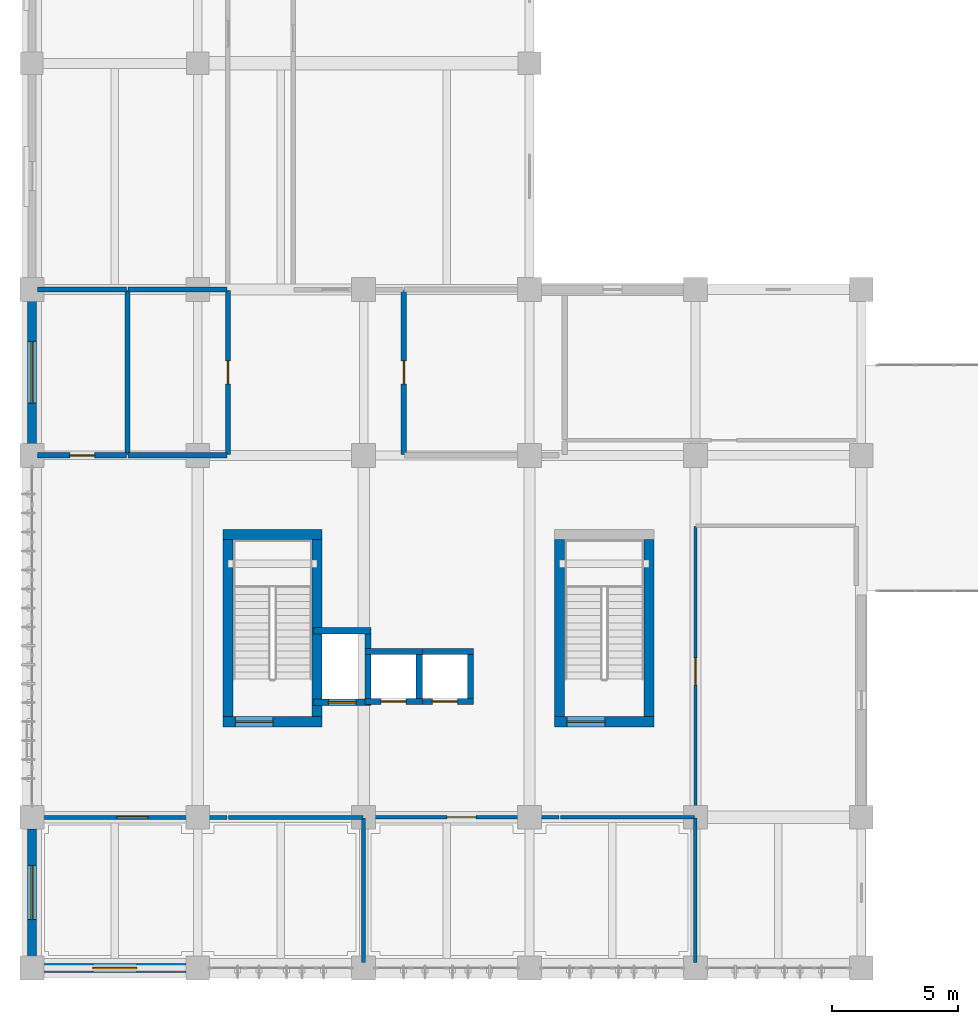
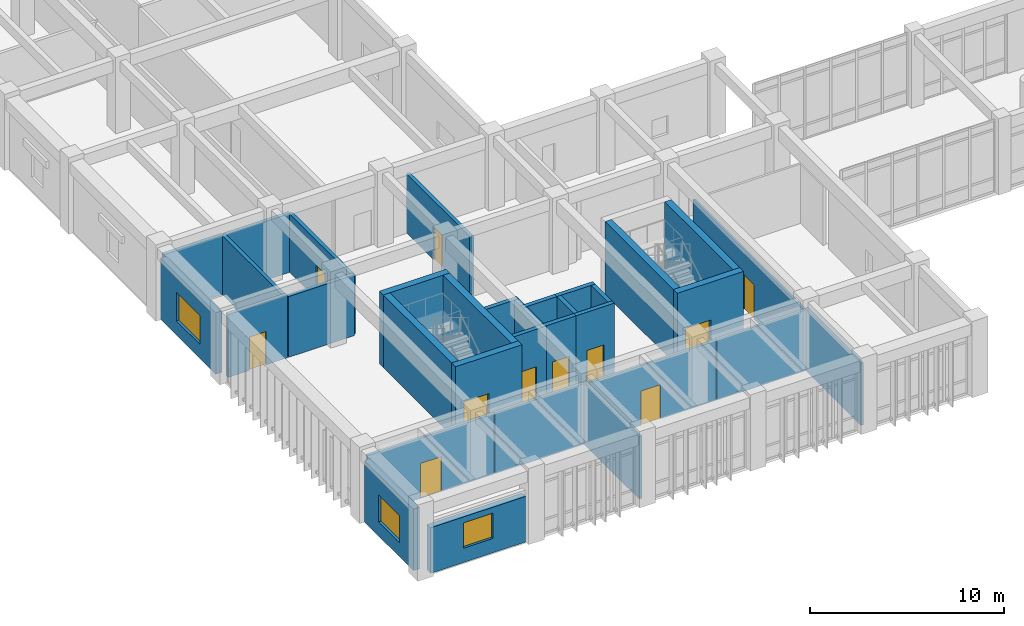
# One storey, part 48 of 68: 33 walls, 11 doors, 3 windows, 14 openings.
"""IFC4 building model written with IfcOpenShell, lengths in metres."""

from ifc_helpers import new_model, si_unit, direction, frame, frame_2d, origin, place, context, subcontext, project, spatial, rectangle, extrude, material, layer, layer_set, type_object, element, fill, save


model = new_model("IFC4")

# Units and contexts
model_context = context("Model", 3, precision=1e-05, world=origin(), true_north=direction((0.0, 1.0)))
body_context = subcontext(model_context, "Body", "Model", "MODEL_VIEW")
ifc_project = project(units=[si_unit("LENGTHUNIT", "METRE"), si_unit("AREAUNIT", "SQUARE_METRE"), si_unit("VOLUMEUNIT", "CUBIC_METRE"), si_unit("PLANEANGLEUNIT", "RADIAN"), si_unit("MASSUNIT", "GRAM", prefix="KILO")], contexts=[model_context])

# Site, building, storey
site_placement = place(None, origin())
site = spatial("IfcSite", under=ifc_project, at=site_placement, CompositionType="ELEMENT")
building_placement = place(site_placement, origin())
building = spatial("IfcBuilding", under=site, at=building_placement, Name="Miralva Faculty of Natural Sciences", CompositionType="ELEMENT")
storey_placement = place(building_placement, frame((0.0, 0.0, 5.39990234375)))
storey = spatial("IfcBuildingStorey", under=building, at=storey_placement, Name="L01", CompositionType="ELEMENT", Elevation=5.39990234375)

# Wall, opening, door
ifc_material_1 = material(Name="Concrete C50/60", Category="concrete")
ifc_layer_1 = layer(ifc_material_1, 0.39990234375, Name="WL-CW01")
ifc_layer_set_1 = layer_set([ifc_layer_1], Name="Concrete C50/60")
wall_type_1 = type_object("IfcWallType", Name="WL-CW01", PredefinedType="SHEAR", material=ifc_layer_set_1)
wall_1_placement = place(storey_placement, frame((10.60009765625, 12.800048828125, 0.0), z_axis=(0.0, 0.0, 1.0), x_axis=(1.0, 0.0, 0.0)))
wall_1 = element("IfcWall", 1, at=wall_1_placement, inside=storey, type_object=wall_type_1, Name="Core C1 shear wall south L01", PredefinedType="SHEAR", context=body_context, shape_type="SweptSolid", body=[
    extrude(rectangle(XDim=3.949951171875, YDim=0.39990234375, at=frame_2d((1.97509765625, 0.0))), origin(), (0.0, 0.0, 1.0), 4.580078125),
])
opening_1_placement = place(wall_1_placement, frame((0.5, 0.0, 0.0)))
opening_1 = element("IfcOpeningElement", 2, at=opening_1_placement, cuts=wall_1, Name="Opening D-11", PredefinedType="OPENING", context=body_context, shape_type="SweptSolid", body=[
    extrude(rectangle(XDim=1.5, YDim=2.199951171875, at=frame_2d((0.75, 1.10009765625))), frame((0.0, 0.2099609375, 0.0), z_axis=(0.0, -1.0, 0.0), x_axis=(1.0, 0.0, 0.0)), (0.0, 0.0, 1.0), 0.419921875),
])
ifc_material_2 = material(Name="Galvanised steel", Category="steel")
door_type_1 = type_object("IfcDoorType", Name="DR-DI11", OperationType="DOUBLE_DOOR_SINGLE_SWING", PredefinedType="DOOR", material=ifc_material_2)
door_1_placement = place(opening_1_placement, frame((1.5, 0.0, 0.0), z_axis=(0.0, 0.0, 1.0), x_axis=(-1.0, 0.0, 0.0)))
door_1 = element("IfcDoor", 3, at=door_1_placement, inside=storey, type_object=door_type_1, Name="Protected exit stair door Core C1 L01", OperationType="DOUBLE_DOOR_SINGLE_SWING", OverallHeight=2.199951171875, OverallWidth=1.5, PredefinedType="DOOR", context=body_context, shape_type="SweptSolid", body=[
    extrude(rectangle(XDim=1.5, YDim=2.199951171875, at=frame_2d((0.75, 1.10009765625))), frame((0.0, 0.02490234375, 0.0), z_axis=(0.0, -1.0, 0.0), x_axis=(1.0, 0.0, 0.0)), (0.0, 0.0, 1.0), 0.050048828125),
])
fill(opening_1, door_1)

# Walls
wall_2_placement = place(storey_placement, frame((10.60009765625, 20.25, 0.0), z_axis=(0.0, 0.0, 1.0), x_axis=(1.0, 0.0, 0.0)))
element("IfcWall", 4, at=wall_2_placement, inside=storey, type_object=wall_type_1, Name="Core C1 shear wall north L01", PredefinedType="SHEAR", context=body_context, shape_type="SweptSolid", body=[
    extrude(rectangle(XDim=3.949951171875, YDim=0.39990234375, at=frame_2d((1.97509765625, 0.0))), origin(), (0.0, 0.0, 1.0), 4.580078125),
])
for number, where, z_axis, x_axis, name in (
    (5, (10.800048828125, 13.0, 0.0), (0.0, 0.0, 1.0), (0.0, 1.0, 0.0), "Core C1 shear wall west L01"),
    (6, (14.35009765625, 13.0, 0.0), (0.0, 0.0, 1.0), (0.0, 1.0, 0.0), "Core C1 shear wall east L01"),
):
    element("IfcWall", number, at=place(storey_placement, frame(where, z_axis=z_axis, x_axis=x_axis)), inside=storey, type_object=wall_type_1, Name=name, PredefinedType="SHEAR", context=body_context, shape_type="SweptSolid", body=[
        extrude(rectangle(XDim=7.050048828125, YDim=0.39990234375, at=frame_2d((3.52490234375, 0.0))), origin(), (0.0, 0.0, 1.0), 4.580078125),
    ])

# Wall, opening, door
wall_3_placement = place(storey_placement, frame((23.800048828125, 12.800048828125, 0.0), z_axis=(0.0, 0.0, 1.0), x_axis=(1.0, 0.0, 0.0)))
wall_3 = element("IfcWall", 7, at=wall_3_placement, inside=storey, type_object=wall_type_1, Name="Core C1B shear wall south L01", PredefinedType="SHEAR", context=body_context, shape_type="SweptSolid", body=[
    extrude(rectangle(XDim=3.949951171875, YDim=0.39990234375, at=frame_2d((1.97509765625, 0.0))), origin(), (0.0, 0.0, 1.0), 4.580078125),
])
opening_2_placement = place(wall_3_placement, frame((0.5, 0.0, 0.0)))
opening_2 = element("IfcOpeningElement", 8, at=opening_2_placement, cuts=wall_3, Name="Opening D-11", PredefinedType="OPENING", context=body_context, shape_type="SweptSolid", body=[
    extrude(rectangle(XDim=1.5, YDim=2.199951171875, at=frame_2d((0.75, 1.10009765625))), frame((0.0, 0.2099609375, 0.0), z_axis=(0.0, -1.0, 0.0), x_axis=(1.0, 0.0, 0.0)), (0.0, 0.0, 1.0), 0.419921875),
])
door_2_placement = place(opening_2_placement, frame((1.5, 0.0, 0.0), z_axis=(0.0, 0.0, 1.0), x_axis=(-1.0, 0.0, 0.0)))
door_2 = element("IfcDoor", 9, at=door_2_placement, inside=storey, type_object=door_type_1, Name="Protected exit stair door Core C1B L01", OperationType="DOUBLE_DOOR_SINGLE_SWING", OverallHeight=2.199951171875, OverallWidth=1.5, PredefinedType="DOOR", context=body_context, shape_type="SweptSolid", body=[
    extrude(rectangle(XDim=1.5, YDim=2.199951171875, at=frame_2d((0.75, 1.10009765625))), frame((0.0, 0.02490234375, 0.0), z_axis=(0.0, -1.0, 0.0), x_axis=(1.0, 0.0, 0.0)), (0.0, 0.0, 1.0), 0.050048828125),
])
fill(opening_2, door_2)

# Walls
for number, where, z_axis, x_axis, name in (
    (10, (24.0, 13.0, 0.0), (0.0, 0.0, 1.0), (0.0, 1.0, 0.0), "Core C1B shear wall west L01"),
    (11, (27.550048828125, 13.0, 0.0), (0.0, 0.0, 1.0), (0.0, 1.0, 0.0), "Core C1B shear wall east L01"),
):
    element("IfcWall", number, at=place(storey_placement, frame(where, z_axis=z_axis, x_axis=x_axis)), inside=storey, type_object=wall_type_1, Name=name, PredefinedType="SHEAR", context=body_context, shape_type="SweptSolid", body=[
        extrude(rectangle(XDim=7.050048828125, YDim=0.39990234375, at=frame_2d((3.52490234375, 0.0))), origin(), (0.0, 0.0, 1.0), 4.580078125),
    ])

# Wall, opening, door
ifc_material_3 = material(Name="Concrete C40/50", Category="concrete")
ifc_layer_2 = layer(ifc_material_3, 0.25, Name="WL-CW04")
ifc_layer_set_2 = layer_set([ifc_layer_2], Name="Concrete C40/50")
wall_type_2 = type_object("IfcWallType", Name="WL-CW04", PredefinedType="SHEAR", material=ifc_layer_set_2)
wall_4_placement = place(storey_placement, frame((14.205078125, 13.580078125, 0.0), z_axis=(0.0, 0.0, 1.0), x_axis=(1.0, 0.0, 0.0)))
wall_4 = element("IfcWall", 12, at=wall_4_placement, inside=storey, type_object=wall_type_2, Name="Lift L-01 hoistway front wall L01", PredefinedType="SHEAR", context=body_context, shape_type="SweptSolid", body=[
    extrude(rectangle(XDim=2.2900390625, YDim=0.25, at=frame_2d((1.14501953125, 0.0))), origin(), (0.0, 0.0, 1.0), 4.56005859375),
])
opening_3_placement = place(wall_4_placement, frame((0.594970703125, 0.0, 0.0)))
opening_3 = element("IfcOpeningElement", 13, at=opening_3_placement, cuts=wall_4, Name="Opening LD-01", PredefinedType="OPENING", context=body_context, shape_type="SweptSolid", body=[
    extrude(rectangle(XDim=1.10009765625, YDim=2.199951171875, at=frame_2d((0.550048828125, 1.10009765625))), frame((0.0, 0.135009765625, 0.0), z_axis=(0.0, -1.0, 0.0), x_axis=(1.0, 0.0, 0.0)), (0.0, 0.0, 1.0), 0.27001953125),
])
door_type_2 = type_object("IfcDoorType", Name="DR-LD01", OperationType="SLIDING_TO_LEFT", PredefinedType="DOOR", material=ifc_material_2)
door_3_placement = place(opening_3_placement, frame((1.10009765625, 0.0, 0.0), z_axis=(0.0, 0.0, 1.0), x_axis=(-1.0, 0.0, 0.0)))
door_3 = element("IfcDoor", 14, at=door_3_placement, inside=storey, type_object=door_type_2, Name="Lift L-01 sliding landing door L01", OperationType="SLIDING_TO_LEFT", OverallHeight=2.199951171875, OverallWidth=1.10009765625, PredefinedType="DOOR", context=body_context, shape_type="SweptSolid", body=[
    extrude(rectangle(XDim=1.10009765625, YDim=2.199951171875, at=frame_2d((0.550048828125, 1.10009765625))), frame((0.0, 0.02490234375, 0.0), z_axis=(0.0, -1.0, 0.0), x_axis=(1.0, 0.0, 0.0)), (0.0, 0.0, 1.0), 0.050048828125),
])
fill(opening_3, door_3)

# Walls
wall_5_placement = place(storey_placement, frame((14.205078125, 16.419921875, 0.0), z_axis=(0.0, 0.0, 1.0), x_axis=(1.0, 0.0, 0.0)))
element("IfcWall", 15, at=wall_5_placement, inside=storey, type_object=wall_type_2, Name="Lift L-01 hoistway rear wall L01", PredefinedType="SHEAR", context=body_context, shape_type="SweptSolid", body=[
    extrude(rectangle(XDim=2.2900390625, YDim=0.25, at=frame_2d((1.14501953125, 0.0))), origin(), (0.0, 0.0, 1.0), 4.56005859375),
])
wall_6_placement = place(storey_placement, frame((16.3701171875, 13.705078125, 0.0), z_axis=(0.0, 0.0, 1.0), x_axis=(0.0, 1.0, 0.0)))
element("IfcWall", 16, at=wall_6_placement, inside=storey, type_object=wall_type_2, Name="Lift L-01 hoistway E wall L01", PredefinedType="SHEAR", context=body_context, shape_type="SweptSolid", body=[
    extrude(rectangle(XDim=2.58984375, YDim=0.25, at=frame_2d((1.294921875, 0.0))), origin(), (0.0, 0.0, 1.0), 4.56005859375),
])

# Wall, opening, door
wall_7_placement = place(storey_placement, frame((16.2451171875, 13.60498046875, 0.0), z_axis=(0.0, 0.0, 1.0), x_axis=(1.0, 0.0, 0.0)))
wall_7 = element("IfcWall", 17, at=wall_7_placement, inside=storey, type_object=wall_type_2, Name="Lift L-02 hoistway front wall L01", PredefinedType="SHEAR", context=body_context, shape_type="SweptSolid", body=[
    extrude(rectangle(XDim=2.289794921875, YDim=0.25, at=frame_2d((1.14501953125, 0.0))), origin(), (0.0, 0.0, 1.0), 4.56005859375),
])
opening_4_placement = place(wall_7_placement, frame((0.64501953125, 0.0, 0.0)))
opening_4 = element("IfcOpeningElement", 18, at=opening_4_placement, cuts=wall_7, Name="Opening LD-02", PredefinedType="OPENING", context=body_context, shape_type="SweptSolid", body=[
    extrude(rectangle(XDim=1.0, YDim=2.14990234375, at=frame_2d((0.5, 1.074951171875))), frame((0.0, 0.135009765625, 0.0), z_axis=(0.0, -1.0, 0.0), x_axis=(1.0, 0.0, 0.0)), (0.0, 0.0, 1.0), 0.27001953125),
])
door_type_3 = type_object("IfcDoorType", Name="DR-LD02", OperationType="SLIDING_TO_LEFT", PredefinedType="DOOR", material=ifc_material_2)
door_4_placement = place(opening_4_placement, frame((1.0, 0.0, 0.0), z_axis=(0.0, 0.0, 1.0), x_axis=(-1.0, 0.0, 0.0)))
door_4 = element("IfcDoor", 19, at=door_4_placement, inside=storey, type_object=door_type_3, Name="Lift L-02 sliding landing door L01", OperationType="SLIDING_TO_LEFT", OverallHeight=2.14990234375, OverallWidth=1.0, PredefinedType="DOOR", context=body_context, shape_type="SweptSolid", body=[
    extrude(rectangle(XDim=1.0, YDim=2.14990234375, at=frame_2d((0.5, 1.074951171875))), frame((0.0, 0.02490234375, 0.0), z_axis=(0.0, -1.0, 0.0), x_axis=(1.0, 0.0, 0.0)), (0.0, 0.0, 1.0), 0.050048828125),
])
fill(opening_4, door_4)

# Walls
wall_8_placement = place(storey_placement, frame((16.2451171875, 15.594970703125, 0.0), z_axis=(0.0, 0.0, 1.0), x_axis=(1.0, 0.0, 0.0)))
element("IfcWall", 20, at=wall_8_placement, inside=storey, type_object=wall_type_2, Name="Lift L-02 hoistway rear wall L01", PredefinedType="SHEAR", context=body_context, shape_type="SweptSolid", body=[
    extrude(rectangle(XDim=2.289794921875, YDim=0.25, at=frame_2d((1.14501953125, 0.0))), origin(), (0.0, 0.0, 1.0), 4.56005859375),
])
wall_9_placement = place(storey_placement, frame((18.409912109375, 13.72998046875, 0.0), z_axis=(0.0, 0.0, 1.0), x_axis=(0.0, 1.0, 0.0)))
element("IfcWall", 21, at=wall_9_placement, inside=storey, type_object=wall_type_2, Name="Lift L-02 hoistway E wall L01", PredefinedType="SHEAR", context=body_context, shape_type="SweptSolid", body=[
    extrude(rectangle(XDim=1.739990234375, YDim=0.25, at=frame_2d((0.8701171875, 0.0))), origin(), (0.0, 0.0, 1.0), 4.56005859375),
])

# Wall, opening, door
wall_10_placement = place(storey_placement, frame((18.284912109375, 13.60498046875, 0.0), z_axis=(0.0, 0.0, 1.0), x_axis=(1.0, 0.0, 0.0)))
wall_10 = element("IfcWall", 22, at=wall_10_placement, inside=storey, type_object=wall_type_2, Name="Lift L-03 hoistway front wall L01", PredefinedType="SHEAR", context=body_context, shape_type="SweptSolid", body=[
    extrude(rectangle(XDim=2.2900390625, YDim=0.25, at=frame_2d((1.14501953125, 0.0))), origin(), (0.0, 0.0, 1.0), 4.56005859375),
])
opening_5_placement = place(wall_10_placement, frame((0.64501953125, 0.0, 0.0)))
opening_5 = element("IfcOpeningElement", 23, at=opening_5_placement, cuts=wall_10, Name="Opening LD-02", PredefinedType="OPENING", context=body_context, shape_type="SweptSolid", body=[
    extrude(rectangle(XDim=1.0, YDim=2.14990234375, at=frame_2d((0.5, 1.074951171875))), frame((0.0, 0.135009765625, 0.0), z_axis=(0.0, -1.0, 0.0), x_axis=(1.0, 0.0, 0.0)), (0.0, 0.0, 1.0), 0.27001953125),
])
door_5_placement = place(opening_5_placement, frame((1.0, 0.0, 0.0), z_axis=(0.0, 0.0, 1.0), x_axis=(-1.0, 0.0, 0.0)))
door_5 = element("IfcDoor", 24, at=door_5_placement, inside=storey, type_object=door_type_3, Name="Lift L-03 sliding landing door L01", OperationType="SLIDING_TO_LEFT", OverallHeight=2.14990234375, OverallWidth=1.0, PredefinedType="DOOR", context=body_context, shape_type="SweptSolid", body=[
    extrude(rectangle(XDim=1.0, YDim=2.14990234375, at=frame_2d((0.5, 1.074951171875))), frame((0.0, 0.02490234375, 0.0), z_axis=(0.0, -1.0, 0.0), x_axis=(1.0, 0.0, 0.0)), (0.0, 0.0, 1.0), 0.050048828125),
])
fill(opening_5, door_5)

# Walls
wall_11_placement = place(storey_placement, frame((18.284912109375, 15.594970703125, 0.0), z_axis=(0.0, 0.0, 1.0), x_axis=(1.0, 0.0, 0.0)))
element("IfcWall", 25, at=wall_11_placement, inside=storey, type_object=wall_type_2, Name="Lift L-03 hoistway rear wall L01", PredefinedType="SHEAR", context=body_context, shape_type="SweptSolid", body=[
    extrude(rectangle(XDim=2.2900390625, YDim=0.25, at=frame_2d((1.14501953125, 0.0))), origin(), (0.0, 0.0, 1.0), 4.56005859375),
])
wall_12_placement = place(storey_placement, frame((20.449951171875, 13.72998046875, 0.0), z_axis=(0.0, 0.0, 1.0), x_axis=(0.0, 1.0, 0.0)))
element("IfcWall", 26, at=wall_12_placement, inside=storey, type_object=wall_type_2, Name="Lift L-03 hoistway E wall L01", PredefinedType="SHEAR", context=body_context, shape_type="SweptSolid", body=[
    extrude(rectangle(XDim=1.739990234375, YDim=0.25, at=frame_2d((0.8701171875, 0.0))), origin(), (0.0, 0.0, 1.0), 4.56005859375),
])
ifc_material_4 = material(Name="Gypsum plasterboard")
ifc_layer_3 = layer(ifc_material_4, 0.159912109375, Name="WL-PT03")
ifc_layer_set_3 = layer_set([ifc_layer_3], Name="Gypsum plasterboard")
wall_type_3 = type_object("IfcWallType", Name="WL-PT03", PredefinedType="PARTITIONING", material=ifc_layer_set_3)
wall_13_placement = place(storey_placement, frame((16.199951171875, 3.22998046875, 0.0), z_axis=(0.0, 0.0, 1.0), x_axis=(0.0, 1.0, 0.0)))
element("IfcWall", 27, at=wall_13_placement, inside=storey, type_object=wall_type_3, Name="Interior partition PT-03 L01-151", PredefinedType="PARTITIONING", context=body_context, shape_type="SweptSolid", body=[
    extrude(rectangle(XDim=5.739990234375, YDim=0.159912109375, at=frame_2d((2.8701171875, 0.0))), origin(), (0.0, 0.0, 1.0), 3.925048828125),
])

# Wall, opening, door
wall_14_placement = place(storey_placement, frame((3.22998046875, 9.0, 0.0), z_axis=(0.0, 0.0, 1.0), x_axis=(1.0, 0.0, 0.0)))
wall_14 = element("IfcWall", 28, at=wall_14_placement, inside=storey, type_object=wall_type_3, Name="Interior partition PT-03 L01-152", PredefinedType="PARTITIONING", context=body_context, shape_type="SweptSolid", body=[
    extrude(rectangle(XDim=7.5400390625, YDim=0.159912109375, at=frame_2d((3.77001953125, 0.0))), origin(), (0.0, 0.0, 1.0), 3.795166015625),
])
opening_6_placement = place(wall_14_placement, frame((3.14501953125, 0.0, 0.0)))
opening_6 = element("IfcOpeningElement", 29, at=opening_6_placement, cuts=wall_14, Name="Opening D-23", PredefinedType="OPENING", context=body_context, shape_type="SweptSolid", body=[
    extrude(rectangle(XDim=1.25, YDim=2.199951171875, at=frame_2d((0.625, 1.10009765625))), frame((0.0, 0.08984375, 0.0), z_axis=(0.0, -1.0, 0.0), x_axis=(1.0, 0.0, 0.0)), (0.0, 0.0, 1.0), 0.179931640625),
])
ifc_material_5 = material(Name="Anodised aluminium", Category="aluminium")
door_type_4 = type_object("IfcDoorType", Name="DR-DI23", OperationType="NOTDEFINED", PredefinedType="DOOR", material=ifc_material_5)
door_6_placement = place(opening_6_placement, origin())
door_6 = element("IfcDoor", 30, at=door_6_placement, inside=storey, type_object=door_type_4, Name="Interior door D-23 L01-58", OperationType="SINGLE_SWING_RIGHT", OverallHeight=2.199951171875, OverallWidth=1.25, PredefinedType="DOOR", context=body_context, shape_type="SweptSolid", body=[
    extrude(rectangle(XDim=1.25, YDim=2.199951171875, at=frame_2d((0.625, 1.10009765625))), frame((0.0, 0.02490234375, 0.0), z_axis=(0.0, -1.0, 0.0), x_axis=(1.0, 0.0, 0.0)), (0.0, 0.0, 1.0), 0.050048828125),
])
fill(opening_6, door_6)

# Walls
wall_15_placement = place(storey_placement, frame((10.830078125, 9.0, 0.0), z_axis=(0.0, 0.0, 1.0), x_axis=(1.0, 0.0, 0.0)))
element("IfcWall", 31, at=wall_15_placement, inside=storey, type_object=wall_type_3, Name="Interior partition PT-03 L01-153", PredefinedType="PARTITIONING", context=body_context, shape_type="SweptSolid", body=[
    extrude(rectangle(XDim=5.33984375, YDim=0.159912109375, at=frame_2d((2.669921875, 0.0))), origin(), (0.0, 0.0, 1.0), 3.8251953125),
])
ifc_layer_4 = layer(ifc_material_4, 0.139892578125, Name="WL-PT04")
ifc_layer_set_4 = layer_set([ifc_layer_4], Name="Gypsum plasterboard")
wall_type_4 = type_object("IfcWallType", Name="WL-PT04", PredefinedType="PARTITIONING", material=ifc_layer_set_4)
wall_16_placement = place(storey_placement, frame((29.39990234375, 3.22998046875, 0.0), z_axis=(0.0, 0.0, 1.0), x_axis=(0.0, 1.0, 0.0)))
element("IfcWall", 32, at=wall_16_placement, inside=storey, type_object=wall_type_4, Name="Interior partition PT-04 L01-154", PredefinedType="PARTITIONING", context=body_context, shape_type="SweptSolid", body=[
    extrude(rectangle(XDim=5.739990234375, YDim=0.139892578125, at=frame_2d((2.8701171875, 0.0))), origin(), (0.0, 0.0, 1.0), 3.925048828125),
])
wall_17_placement = place(storey_placement, frame((24.030029296875, 9.0, 0.0), z_axis=(0.0, 0.0, 1.0), x_axis=(1.0, 0.0, 0.0)))
element("IfcWall", 33, at=wall_17_placement, inside=storey, type_object=wall_type_4, Name="Interior partition PT-04 L01-155", PredefinedType="PARTITIONING", context=body_context, shape_type="SweptSolid", body=[
    extrude(rectangle(XDim=5.340087890625, YDim=0.139892578125, at=frame_2d((2.669921875, 0.0))), origin(), (0.0, 0.0, 1.0), 3.8251953125),
])

# Wall, opening, door
wall_18_placement = place(storey_placement, frame((16.22998046875, 9.0, 0.0), z_axis=(0.0, 0.0, 1.0), x_axis=(1.0, 0.0, 0.0)))
wall_18 = element("IfcWall", 34, at=wall_18_placement, inside=storey, type_object=wall_type_4, Name="Interior partition PT-04 L01-156", PredefinedType="PARTITIONING", context=body_context, shape_type="SweptSolid", body=[
    extrude(rectangle(XDim=7.739990234375, YDim=0.139892578125, at=frame_2d((3.8701171875, 0.0))), origin(), (0.0, 0.0, 1.0), 3.755126953125),
])
opening_7_placement = place(wall_18_placement, frame((3.294921875, 0.0, 0.0)))
opening_7 = element("IfcOpeningElement", 35, at=opening_7_placement, cuts=wall_18, Name="Opening D-24", PredefinedType="OPENING", context=body_context, shape_type="SweptSolid", body=[
    extrude(rectangle(XDim=1.14990234375, YDim=2.14990234375, at=frame_2d((0.574951171875, 1.074951171875))), frame((0.0, 0.079833984375, 0.0), z_axis=(0.0, -1.0, 0.0), x_axis=(1.0, 0.0, 0.0)), (0.0, 0.0, 1.0), 0.159912109375),
])
door_type_5 = type_object("IfcDoorType", Name="DR-DI24", OperationType="NOTDEFINED", PredefinedType="DOOR", material=ifc_material_5)
door_7_placement = place(opening_7_placement, origin())
door_7 = element("IfcDoor", 36, at=door_7_placement, inside=storey, type_object=door_type_5, Name="Interior door D-24 L01-59", OperationType="SINGLE_SWING_LEFT", OverallHeight=2.14990234375, OverallWidth=1.14990234375, PredefinedType="DOOR", context=body_context, shape_type="SweptSolid", body=[
    extrude(rectangle(XDim=1.14990234375, YDim=2.14990234375, at=frame_2d((0.574951171875, 1.074951171875))), frame((0.0, 0.02490234375, 0.0), z_axis=(0.0, -1.0, 0.0), x_axis=(1.0, 0.0, 0.0)), (0.0, 0.0, 1.0), 0.050048828125),
])
fill(opening_7, door_7)

ifc_layer_5 = layer(ifc_material_4, 0.125, Name="WL-PT05")
ifc_layer_set_5 = layer_set([ifc_layer_5], Name="Gypsum plasterboard")
wall_type_5 = type_object("IfcWallType", Name="WL-PT05", PredefinedType="PARTITIONING", material=ifc_layer_set_5)
wall_19_placement = place(storey_placement, frame((29.39990234375, 9.030029296875, 0.0), z_axis=(0.0, 0.0, 1.0), x_axis=(0.0, 1.0, 0.0)))
wall_19 = element("IfcWall", 37, at=wall_19_placement, inside=storey, type_object=wall_type_5, Name="Interior partition PT-05 L01-157", PredefinedType="PARTITIONING", context=body_context, shape_type="SweptSolid", body=[
    extrude(rectangle(XDim=11.5400390625, YDim=0.125, at=frame_2d((5.77001953125, 0.0))), origin(), (0.0, 0.0, 1.0), 3.72509765625),
])
opening_8_placement = place(wall_19_placement, frame((5.22998046875, 0.0, 0.0)))
opening_8 = element("IfcOpeningElement", 38, at=opening_8_placement, cuts=wall_19, Name="Opening D-32", PredefinedType="OPENING", context=body_context, shape_type="SweptSolid", body=[
    extrude(rectangle(XDim=1.080078125, YDim=2.14990234375, at=frame_2d((0.5400390625, 1.074951171875))), frame((0.0, 0.072509765625, 0.0), z_axis=(0.0, -1.0, 0.0), x_axis=(1.0, 0.0, 0.0)), (0.0, 0.0, 1.0), 0.14501953125),
])
door_type_6 = type_object("IfcDoorType", Name="DR-DI32", OperationType="NOTDEFINED", PredefinedType="DOOR", material=ifc_material_5)
door_8_placement = place(opening_8_placement, origin())
door_8 = element("IfcDoor", 39, at=door_8_placement, inside=storey, type_object=door_type_6, Name="Interior door D-32 L01-60", OperationType="SINGLE_SWING_RIGHT", OverallHeight=2.14990234375, OverallWidth=1.080078125, PredefinedType="DOOR", context=body_context, shape_type="SweptSolid", body=[
    extrude(rectangle(XDim=1.080078125, YDim=2.14990234375, at=frame_2d((0.5400390625, 1.074951171875))), frame((0.0, 0.02490234375, 0.0), z_axis=(0.0, -1.0, 0.0), x_axis=(1.0, 0.0, 0.0)), (0.0, 0.0, 1.0), 0.050048828125),
])
fill(opening_8, door_8)

# Wall
ifc_layer_6 = layer(ifc_material_4, 0.2099609375, Name="WL-PT06")
ifc_layer_set_6 = layer_set([ifc_layer_6], Name="Gypsum plasterboard")
wall_type_6 = type_object("IfcWallType", Name="WL-PT06", PredefinedType="PLUMBINGWALL", material=ifc_layer_set_6)
wall_20_placement = place(storey_placement, frame((6.800048828125, 23.429931640625, 0.0), z_axis=(0.0, 0.0, 1.0), x_axis=(0.0, 1.0, 0.0)))
element("IfcWall", 40, at=wall_20_placement, inside=storey, type_object=wall_type_6, Name="Interior partition PT-06 L01-160", PredefinedType="PLUMBINGWALL", context=body_context, shape_type="SweptSolid", body=[
    extrude(rectangle(XDim=6.5400390625, YDim=0.2099609375, at=frame_2d((3.27001953125, 0.0))), origin(), (0.0, 0.0, 1.0), 3.72509765625),
])

# Wall, opening, door
wall_21_placement = place(storey_placement, frame((3.22998046875, 23.39990234375, 0.0), z_axis=(0.0, 0.0, 1.0), x_axis=(1.0, 0.0, 0.0)))
wall_21 = element("IfcWall", 41, at=wall_21_placement, inside=storey, type_object=wall_type_6, Name="Interior partition PT-06 L01-161", PredefinedType="PLUMBINGWALL", context=body_context, shape_type="SweptSolid", body=[
    extrude(rectangle(XDim=3.5400390625, YDim=0.2099609375, at=frame_2d((1.77001953125, 0.0))), origin(), (0.0, 0.0, 1.0), 3.955078125),
])
opening_9_placement = place(wall_21_placement, frame((1.280029296875, 0.0, 0.0)))
opening_9 = element("IfcOpeningElement", 42, at=opening_9_placement, cuts=wall_21, Name="Opening D-26", PredefinedType="OPENING", context=body_context, shape_type="SweptSolid", body=[
    extrude(rectangle(XDim=0.97998046875, YDim=2.10009765625, at=frame_2d((0.489990234375, 1.050048828125))), frame((0.0, 0.114990234375, 0.0), z_axis=(0.0, -1.0, 0.0), x_axis=(1.0, 0.0, 0.0)), (0.0, 0.0, 1.0), 0.22998046875),
])
door_type_7 = type_object("IfcDoorType", Name="DR-DI26", OperationType="NOTDEFINED", PredefinedType="DOOR", material=ifc_material_5)
door_9_placement = place(opening_9_placement, origin())
door_9 = element("IfcDoor", 43, at=door_9_placement, inside=storey, type_object=door_type_7, Name="Interior door D-26 L01-61", OperationType="SINGLE_SWING_LEFT", OverallHeight=2.10009765625, OverallWidth=0.97998046875, PredefinedType="DOOR", context=body_context, shape_type="SweptSolid", body=[
    extrude(rectangle(XDim=0.97998046875, YDim=2.10009765625, at=frame_2d((0.489990234375, 1.050048828125))), frame((0.0, 0.02490234375, 0.0), z_axis=(0.0, -1.0, 0.0), x_axis=(1.0, 0.0, 0.0)), (0.0, 0.0, 1.0), 0.050048828125),
])
fill(opening_9, door_9)

# Walls
wall_22_placement = place(storey_placement, frame((3.22998046875, 30.0, 0.0), z_axis=(0.0, 0.0, 1.0), x_axis=(1.0, 0.0, 0.0)))
element("IfcWall", 44, at=wall_22_placement, inside=storey, type_object=wall_type_6, Name="Interior partition PT-06 L01-162", PredefinedType="PLUMBINGWALL", context=body_context, shape_type="SweptSolid", body=[
    extrude(rectangle(XDim=3.5400390625, YDim=0.2099609375, at=frame_2d((1.77001953125, 0.0))), origin(), (0.0, 0.0, 1.0), 3.72509765625),
])
wall_23_placement = place(storey_placement, frame((6.830078125, 23.39990234375, 0.0), z_axis=(0.0, 0.0, 1.0), x_axis=(1.0, 0.0, 0.0)))
element("IfcWall", 45, at=wall_23_placement, inside=storey, type_object=wall_type_6, Name="Interior partition PT-06 L01-163", PredefinedType="PLUMBINGWALL", context=body_context, shape_type="SweptSolid", body=[
    extrude(rectangle(XDim=3.93994140625, YDim=0.2099609375, at=frame_2d((1.969970703125, 0.0))), origin(), (0.0, 0.0, 1.0), 3.8251953125),
])

# Wall, opening, door
wall_24_placement = place(storey_placement, frame((10.800048828125, 23.429931640625, 0.0), z_axis=(0.0, 0.0, 1.0), x_axis=(0.0, 1.0, 0.0)))
wall_24 = element("IfcWall", 46, at=wall_24_placement, inside=storey, type_object=wall_type_6, Name="Interior partition PT-06 L01-164", PredefinedType="PLUMBINGWALL", context=body_context, shape_type="SweptSolid", body=[
    extrude(rectangle(XDim=6.5400390625, YDim=0.2099609375, at=frame_2d((3.27001953125, 0.0))), origin(), (0.0, 0.0, 1.0), 3.695068359375),
])
opening_10_placement = place(wall_24_placement, frame((2.81005859375, 0.0, 0.0)))
opening_10 = element("IfcOpeningElement", 47, at=opening_10_placement, cuts=wall_24, Name="Opening D-27", PredefinedType="OPENING", context=body_context, shape_type="SweptSolid", body=[
    extrude(rectangle(XDim=0.919921875, YDim=2.10009765625, at=frame_2d((0.4599609375, 1.050048828125))), frame((0.0, 0.114990234375, 0.0), z_axis=(0.0, -1.0, 0.0), x_axis=(1.0, 0.0, 0.0)), (0.0, 0.0, 1.0), 0.22998046875),
])
door_type_8 = type_object("IfcDoorType", Name="DR-DI27", OperationType="NOTDEFINED", PredefinedType="DOOR", material=ifc_material_5)
door_10_placement = place(opening_10_placement, origin())
door_10 = element("IfcDoor", 48, at=door_10_placement, inside=storey, type_object=door_type_8, Name="Interior door D-27 L01-62", OperationType="SINGLE_SWING_RIGHT", OverallHeight=2.10009765625, OverallWidth=0.919921875, PredefinedType="DOOR", context=body_context, shape_type="SweptSolid", body=[
    extrude(rectangle(XDim=0.919921875, YDim=2.10009765625, at=frame_2d((0.4599609375, 1.050048828125))), frame((0.0, 0.02490234375, 0.0), z_axis=(0.0, -1.0, 0.0), x_axis=(1.0, 0.0, 0.0)), (0.0, 0.0, 1.0), 0.050048828125),
])
fill(opening_10, door_10)

# Wall
wall_25_placement = place(storey_placement, frame((6.830078125, 30.0, 0.0), z_axis=(0.0, 0.0, 1.0), x_axis=(1.0, 0.0, 0.0)))
element("IfcWall", 49, at=wall_25_placement, inside=storey, type_object=wall_type_6, Name="Interior partition PT-06 L01-165", PredefinedType="PLUMBINGWALL", context=body_context, shape_type="SweptSolid", body=[
    extrude(rectangle(XDim=3.93994140625, YDim=0.2099609375, at=frame_2d((1.969970703125, 0.0))), origin(), (0.0, 0.0, 1.0), 3.695068359375),
])

# Wall, opening, door
wall_26_placement = place(storey_placement, frame((17.800048828125, 23.429931640625, 0.0), z_axis=(0.0, 0.0, 1.0), x_axis=(0.0, 1.0, 0.0)))
wall_26 = element("IfcWall", 50, at=wall_26_placement, inside=storey, type_object=wall_type_6, Name="Interior partition PT-06 L01-168", PredefinedType="PLUMBINGWALL", context=body_context, shape_type="SweptSolid", body=[
    extrude(rectangle(XDim=6.5400390625, YDim=0.2099609375, at=frame_2d((3.27001953125, 0.0))), origin(), (0.0, 0.0, 1.0), 3.72509765625),
])
opening_11_placement = place(wall_26_placement, frame((2.81005859375, 0.0, 0.0)))
opening_11 = element("IfcOpeningElement", 51, at=opening_11_placement, cuts=wall_26, Name="Opening D-27", PredefinedType="OPENING", context=body_context, shape_type="SweptSolid", body=[
    extrude(rectangle(XDim=0.919921875, YDim=2.10009765625, at=frame_2d((0.4599609375, 1.050048828125))), frame((0.0, 0.114990234375, 0.0), z_axis=(0.0, -1.0, 0.0), x_axis=(1.0, 0.0, 0.0)), (0.0, 0.0, 1.0), 0.22998046875),
])
door_11_placement = place(opening_11_placement, origin())
door_11 = element("IfcDoor", 52, at=door_11_placement, inside=storey, type_object=door_type_8, Name="Interior door D-27 L01-63", OperationType="SINGLE_SWING_LEFT", OverallHeight=2.10009765625, OverallWidth=0.919921875, PredefinedType="DOOR", context=body_context, shape_type="SweptSolid", body=[
    extrude(rectangle(XDim=0.919921875, YDim=2.10009765625, at=frame_2d((0.4599609375, 1.050048828125))), frame((0.0, 0.02490234375, 0.0), z_axis=(0.0, -1.0, 0.0), x_axis=(1.0, 0.0, 0.0)), (0.0, 0.0, 1.0), 0.050048828125),
])
fill(opening_11, door_11)

# Wall, opening, window
ifc_material_6 = material(Name="Volcanic tuff architectural stone", Category="masonry")
ifc_layer_7 = layer(ifc_material_6, 0.360107421875, Name="WL-WT01")
ifc_layer_set_7 = layer_set([ifc_layer_7], Name="Volcanic tuff architectural stone")
wall_type_7 = type_object("IfcWallType", Name="WL-WT01", PredefinedType="SOLIDWALL", material=ifc_layer_set_7)
wall_27_placement = place(storey_placement, frame((3.465087890625, 3.0, 0.0), z_axis=(0.0, 0.0, 1.0), x_axis=(1.0, 0.0, 0.0)))
wall_27 = element("IfcWall", 53, at=wall_27_placement, inside=storey, type_object=wall_type_7, Name="Exterior wall L01-70", PredefinedType="SOLIDWALL", context=body_context, shape_type="SweptSolid", body=[
    extrude(rectangle(XDim=5.669921875, YDim=0.360107421875, at=frame_2d((2.8349609375, 0.0))), origin(), (0.0, 0.0, 1.0), 2.8701171875),
])
opening_12_placement = place(wall_27_placement, frame((1.9599609375, 0.0, 0.89990234375)))
opening_12 = element("IfcOpeningElement", 54, at=opening_12_placement, cuts=wall_27, Name="Opening W-38", PredefinedType="OPENING", context=body_context, shape_type="SweptSolid", body=[
    extrude(rectangle(XDim=1.75, YDim=1.60009765625, at=frame_2d((0.875, 0.800048828125))), frame((0.0, 0.18994140625, 0.0), z_axis=(0.0, -1.0, 0.0), x_axis=(1.0, 0.0, 0.0)), (0.0, 0.0, 1.0), 0.380126953125),
])
ifc_material_7 = material(Name="Laminated solar-control glass", Category="glass")
window_type_1 = type_object("IfcWindowType", Name="WN-W38", PartitioningType="DOUBLE_PANEL_VERTICAL", PredefinedType="WINDOW", material=ifc_material_7)
window_1_placement = place(opening_12_placement, frame((1.75, 0.0, 0.0), z_axis=(0.0, 0.0, 1.0), x_axis=(-1.0, 0.0, 0.0)))
window_1 = element("IfcWindow", 55, at=window_1_placement, inside=storey, type_object=window_type_1, Name="Window W-38 L01-16", OverallHeight=1.60009765625, OverallWidth=1.75, PartitioningType="DOUBLE_PANEL_VERTICAL", PredefinedType="WINDOW", context=body_context, shape_type="SweptSolid", body=[
    extrude(rectangle(XDim=1.75, YDim=1.60009765625, at=frame_2d((0.875, 0.800048828125))), frame((0.0, 0.030029296875, 0.0), z_axis=(0.0, -1.0, 0.0), x_axis=(1.0, 0.0, 0.0)), (0.0, 0.0, 1.0), 0.06005859375),
])
fill(opening_12, window_1)

wall_28_placement = place(storey_placement, frame((3.0, 3.465087890625, 0.0), z_axis=(0.0, 0.0, 1.0), x_axis=(0.0, 1.0, 0.0)))
wall_28 = element("IfcWall", 56, at=wall_28_placement, inside=storey, type_object=wall_type_7, Name="Exterior wall L01-71", PredefinedType="SOLIDWALL", context=body_context, shape_type="SweptSolid", body=[
    extrude(rectangle(XDim=5.06982421875, YDim=0.360107421875, at=frame_2d((2.534912109375, 0.0))), origin(), (0.0, 0.0, 1.0), 3.875),
])
opening_13_placement = place(wall_28_placement, frame((1.4599609375, 0.0, 0.89990234375)))
opening_13 = element("IfcOpeningElement", 57, at=opening_13_placement, cuts=wall_28, Name="Opening W-39", PredefinedType="OPENING", context=body_context, shape_type="SweptSolid", body=[
    extrude(rectangle(XDim=2.14990234375, YDim=1.699951171875, at=frame_2d((1.074951171875, 0.85009765625))), frame((0.0, 0.18994140625, 0.0), z_axis=(0.0, -1.0, 0.0), x_axis=(1.0, 0.0, 0.0)), (0.0, 0.0, 1.0), 0.380126953125),
])
window_type_2 = type_object("IfcWindowType", Name="WN-W39", PartitioningType="DOUBLE_PANEL_VERTICAL", PredefinedType="WINDOW", material=ifc_material_7)
window_2_placement = place(opening_13_placement, origin())
window_2 = element("IfcWindow", 58, at=window_2_placement, inside=storey, type_object=window_type_2, Name="Window W-39 L01-17", OverallHeight=1.699951171875, OverallWidth=2.14990234375, PartitioningType="DOUBLE_PANEL_VERTICAL", PredefinedType="WINDOW", context=body_context, shape_type="SweptSolid", body=[
    extrude(rectangle(XDim=2.14990234375, YDim=1.699951171875, at=frame_2d((1.074951171875, 0.85009765625))), frame((0.0, 0.030029296875, 0.0), z_axis=(0.0, -1.0, 0.0), x_axis=(1.0, 0.0, 0.0)), (0.0, 0.0, 1.0), 0.06005859375),
])
fill(opening_13, window_2)

wall_29_placement = place(storey_placement, frame((3.0, 23.85498046875, 0.0), z_axis=(0.0, 0.0, 1.0), x_axis=(0.0, 1.0, 0.0)))
wall_29 = element("IfcWall", 59, at=wall_29_placement, inside=storey, type_object=wall_type_7, Name="Exterior wall L01-72", PredefinedType="SOLIDWALL", context=body_context, shape_type="SweptSolid", body=[
    extrude(rectangle(XDim=5.68994140625, YDim=0.360107421875, at=frame_2d((2.844970703125, 0.0))), origin(), (0.0, 0.0, 1.0), 3.875),
])
opening_14_placement = place(wall_29_placement, frame((1.6201171875, 0.0, 0.89990234375)))
opening_14 = element("IfcOpeningElement", 60, at=opening_14_placement, cuts=wall_29, Name="Opening W-40", PredefinedType="OPENING", context=body_context, shape_type="SweptSolid", body=[
    extrude(rectangle(XDim=2.449951171875, YDim=1.800048828125, at=frame_2d((1.22509765625, 0.89990234375))), frame((0.0, 0.18994140625, 0.0), z_axis=(0.0, -1.0, 0.0), x_axis=(1.0, 0.0, 0.0)), (0.0, 0.0, 1.0), 0.380126953125),
])
window_type_3 = type_object("IfcWindowType", Name="WN-W40", PartitioningType="DOUBLE_PANEL_VERTICAL", PredefinedType="WINDOW", material=ifc_material_7)
window_3_placement = place(opening_14_placement, origin())
window_3 = element("IfcWindow", 61, at=window_3_placement, inside=storey, type_object=window_type_3, Name="Window W-40 L01-18", OverallHeight=1.800048828125, OverallWidth=2.449951171875, PartitioningType="DOUBLE_PANEL_VERTICAL", PredefinedType="WINDOW", context=body_context, shape_type="SweptSolid", body=[
    extrude(rectangle(XDim=2.449951171875, YDim=1.800048828125, at=frame_2d((1.22509765625, 0.89990234375))), frame((0.0, 0.030029296875, 0.0), z_axis=(0.0, -1.0, 0.0), x_axis=(1.0, 0.0, 0.0)), (0.0, 0.0, 1.0), 0.06005859375),
])
fill(opening_14, window_3)

save(model, "model.ifc")
